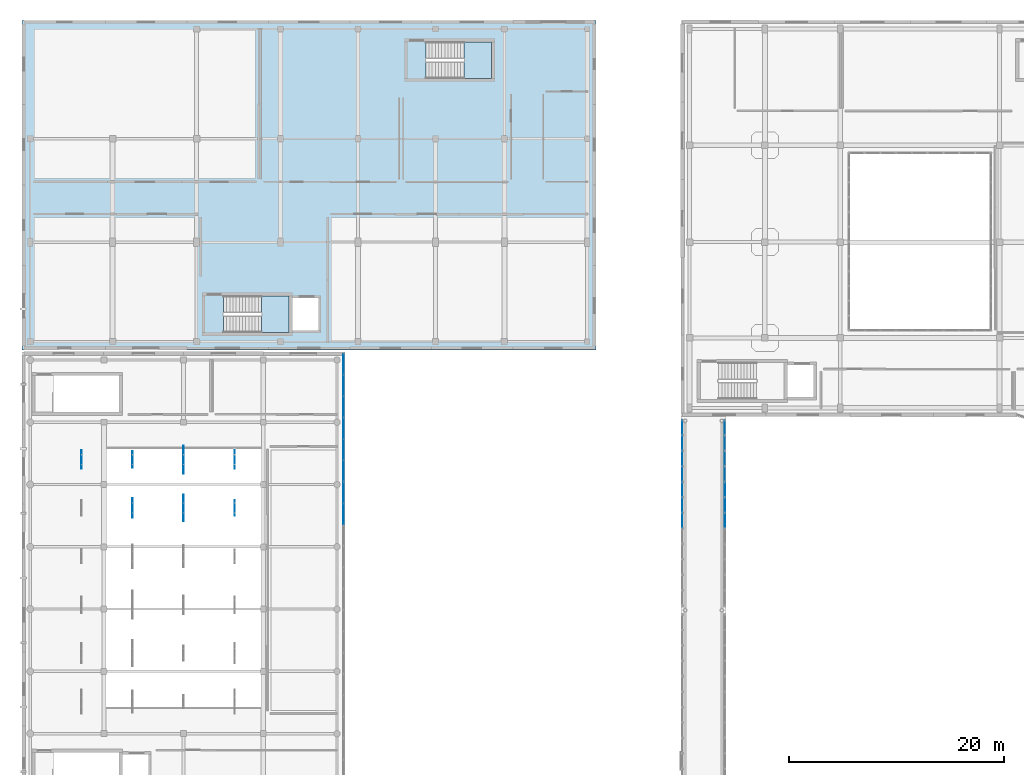
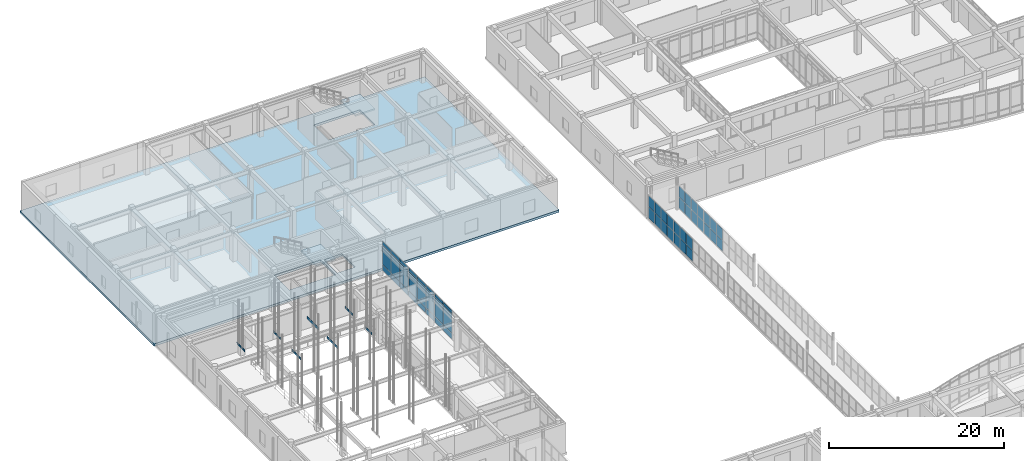
# One storey, part 109 of 142: 59 plates, 3 slabs, 9 elements without a shape of their own.
"""IFC4 building model written with IfcOpenShell, lengths in metres."""

from ifc_helpers import new_model, si_unit, direction, frame, origin, origin_2d, place, context, subcontext, project, spatial, polyline, rectangle, outline, extrude, material, layer, layer_set, type_object, element, aggregate, save


model = new_model("IFC4")

# Units and contexts
model_context = context("Model", 3, precision=1e-05, world=origin(), true_north=direction((0.0, 1.0)))
body_context = subcontext(model_context, "Body", "Model", "MODEL_VIEW")
ifc_project = project(units=[si_unit("LENGTHUNIT", "METRE"), si_unit("AREAUNIT", "SQUARE_METRE"), si_unit("VOLUMEUNIT", "CUBIC_METRE"), si_unit("PLANEANGLEUNIT", "RADIAN"), si_unit("MASSUNIT", "GRAM", prefix="KILO")], contexts=[model_context])

# Site, building, storey
site_placement = place(None, origin())
site = spatial("IfcSite", under=ifc_project, at=site_placement, CompositionType="ELEMENT")
building_placement = place(site_placement, origin())
building = spatial("IfcBuilding", under=site, at=building_placement, Name="Valcora Specialist Clinic", CompositionType="ELEMENT")
storey_placement = place(building_placement, frame((0.0, 0.0, 5.10009765625)))
storey = spatial("IfcBuildingStorey", under=building, at=storey_placement, Name="L01", CompositionType="ELEMENT", Elevation=5.10009765625)

# Curtain wall, plates
ifc_material_1 = material(Name="Anodized Bronze Aluminium 6063-T6", Category="aluminium")
ifc_layer_1 = layer(ifc_material_1, 0.175048828125)
ifc_layer_set_1 = layer_set([ifc_layer_1], Name="Anodized Bronze Aluminium 6063-T6")
curtain_wall_type_1 = type_object("IfcCurtainWallType", Name="TY-CW-HAL18", PredefinedType="NOTDEFINED", material=ifc_layer_set_1)
curtain_wall_1_placement = place(storey_placement, origin())
curtain_wall_1 = element("IfcCurtainWall", 1, at=curtain_wall_1_placement, inside=storey, type_object=curtain_wall_type_1, Name="Curtain wall CW-L01-008", PredefinedType="NOTDEFINED")
ifc_material_2 = material(Name="Low-E Laminated Insulating Glass", Category="glass")
ifc_layer_2 = layer(ifc_material_2, 0.028076171875)
ifc_layer_set_2 = layer_set([ifc_layer_2], Name="Low-E Laminated Insulating Glass")
plate_type_1 = type_object("IfcPlateType", Name="TY-CWP-GLZ28", PredefinedType="CURTAIN_PANEL", material=ifc_layer_set_2)
plate_1_placement = place(storey_placement, frame((29.85009765625, 78.8408203125, 0.88232421875), z_axis=(0.0, 0.0, 1.0), x_axis=(0.0, -1.0, 0.0)))
plate_1 = element("IfcPlate", 2, at=plate_1_placement, type_object=plate_type_1, Name="CW-HAL-18 panel 1.2", PredefinedType="CURTAIN_PANEL", context=body_context, shape_type="SweptSolid", body=[
    extrude(rectangle(XDim=1.88818359375, YDim=0.028076171875, at=origin_2d()), origin(), (0.0, 0.0, 1.0), 2.655029296875),
])
plate_2_placement = place(storey_placement, frame((29.85009765625, 78.8408203125, 3.6025390625), z_axis=(0.0, 0.0, 1.0), x_axis=(0.0, -1.0, 0.0)))
plate_2 = element("IfcPlate", 3, at=plate_2_placement, type_object=plate_type_1, Name="CW-HAL-18 panel 1.3", PredefinedType="CURTAIN_PANEL", context=body_context, shape_type="SweptSolid", body=[
    extrude(rectangle(XDim=1.88818359375, YDim=0.028076171875, at=origin_2d()), origin(), (0.0, 0.0, 1.0), 0.452392578125),
])
plate_3_placement = place(storey_placement, frame((29.85009765625, 76.871337890625, 0.88232421875), z_axis=(0.0, 0.0, 1.0), x_axis=(0.0, -1.0, 0.0)))
plate_3 = element("IfcPlate", 4, at=plate_3_placement, type_object=plate_type_1, Name="CW-HAL-18 panel 2.2", PredefinedType="CURTAIN_PANEL", context=body_context, shape_type="SweptSolid", body=[
    extrude(rectangle(XDim=1.920654296875, YDim=0.028076171875, at=origin_2d()), origin(), (0.0, 0.0, 1.0), 2.655029296875),
])
plate_4_placement = place(storey_placement, frame((29.85009765625, 76.871337890625, 3.6025390625), z_axis=(0.0, 0.0, 1.0), x_axis=(0.0, -1.0, 0.0)))
plate_4 = element("IfcPlate", 5, at=plate_4_placement, type_object=plate_type_1, Name="CW-HAL-18 panel 2.3", PredefinedType="CURTAIN_PANEL", context=body_context, shape_type="SweptSolid", body=[
    extrude(rectangle(XDim=1.920654296875, YDim=0.028076171875, at=origin_2d()), origin(), (0.0, 0.0, 1.0), 0.452392578125),
])
plate_5_placement = place(storey_placement, frame((29.85009765625, 74.902099609375, 0.88232421875), z_axis=(0.0, 0.0, 1.0), x_axis=(0.0, -1.0, 0.0)))
plate_5 = element("IfcPlate", 6, at=plate_5_placement, type_object=plate_type_1, Name="CW-HAL-18 panel 3.2", PredefinedType="CURTAIN_PANEL", context=body_context, shape_type="SweptSolid", body=[
    extrude(rectangle(XDim=1.88818359375, YDim=0.028076171875, at=origin_2d()), origin(), (0.0, 0.0, 1.0), 2.655029296875),
])
plate_6_placement = place(storey_placement, frame((29.85009765625, 74.902099609375, 3.6025390625), z_axis=(0.0, 0.0, 1.0), x_axis=(0.0, -1.0, 0.0)))
plate_6 = element("IfcPlate", 7, at=plate_6_placement, type_object=plate_type_1, Name="CW-HAL-18 panel 3.3", PredefinedType="CURTAIN_PANEL", context=body_context, shape_type="SweptSolid", body=[
    extrude(rectangle(XDim=1.88818359375, YDim=0.028076171875, at=origin_2d()), origin(), (0.0, 0.0, 1.0), 0.452392578125),
])

curtain_wall_2_placement = place(storey_placement, origin())
curtain_wall_2 = element("IfcCurtainWall", 8, at=curtain_wall_2_placement, inside=storey, type_object=curtain_wall_type_1, Name="Curtain wall CW-L01-010", PredefinedType="NOTDEFINED")
plate_7_placement = place(storey_placement, frame((29.85009765625, 66.926513671875, 0.88232421875), z_axis=(0.0, 0.0, 1.0), x_axis=(0.0, -1.0, 0.0)))
plate_7 = element("IfcPlate", 9, at=plate_7_placement, type_object=plate_type_1, Name="CW-HAL-18 panel 1.2", PredefinedType="CURTAIN_PANEL", context=body_context, shape_type="SweptSolid", body=[
    extrude(rectangle(XDim=1.88818359375, YDim=0.028076171875, at=origin_2d()), origin(), (0.0, 0.0, 1.0), 2.655029296875),
])
plate_8_placement = place(storey_placement, frame((29.85009765625, 66.926513671875, 3.6025390625), z_axis=(0.0, 0.0, 1.0), x_axis=(0.0, -1.0, 0.0)))
plate_8 = element("IfcPlate", 10, at=plate_8_placement, type_object=plate_type_1, Name="CW-HAL-18 panel 1.3", PredefinedType="CURTAIN_PANEL", context=body_context, shape_type="SweptSolid", body=[
    extrude(rectangle(XDim=1.88818359375, YDim=0.028076171875, at=origin_2d()), origin(), (0.0, 0.0, 1.0), 0.452392578125),
])
plate_9_placement = place(storey_placement, frame((29.85009765625, 64.95703125, 0.88232421875), z_axis=(0.0, 0.0, 1.0), x_axis=(0.0, -1.0, 0.0)))
plate_9 = element("IfcPlate", 11, at=plate_9_placement, type_object=plate_type_1, Name="CW-HAL-18 panel 2.2", PredefinedType="CURTAIN_PANEL", context=body_context, shape_type="SweptSolid", body=[
    extrude(rectangle(XDim=1.920654296875, YDim=0.028076171875, at=origin_2d()), origin(), (0.0, 0.0, 1.0), 2.655029296875),
])
plate_10_placement = place(storey_placement, frame((29.85009765625, 64.95703125, 3.6025390625), z_axis=(0.0, 0.0, 1.0), x_axis=(0.0, -1.0, 0.0)))
plate_10 = element("IfcPlate", 12, at=plate_10_placement, type_object=plate_type_1, Name="CW-HAL-18 panel 2.3", PredefinedType="CURTAIN_PANEL", context=body_context, shape_type="SweptSolid", body=[
    extrude(rectangle(XDim=1.920654296875, YDim=0.028076171875, at=origin_2d()), origin(), (0.0, 0.0, 1.0), 0.452392578125),
])

ifc_layer_3 = layer(ifc_material_1, 0.175048828125)
ifc_layer_set_3 = layer_set([ifc_layer_3], Name="Anodized Bronze Aluminium 6063-T6")
curtain_wall_type_2 = type_object("IfcCurtainWallType", Name="TY-CW-BRG14", PredefinedType="NOTDEFINED", material=ifc_layer_set_3)
curtain_wall_3_placement = place(storey_placement, origin())
curtain_wall_3 = element("IfcCurtainWall", 13, at=curtain_wall_3_placement, inside=storey, type_object=curtain_wall_type_2, Name="Curtain wall CW-L01-238", PredefinedType="NOTDEFINED")
plate_11_placement = place(storey_placement, frame((61.320068359375, 64.3291015625, 0.06494140625), z_axis=(0.0, 0.0, 1.0), x_axis=(0.0, 1.0, 0.0)))
plate_11 = element("IfcPlate", 14, at=plate_11_placement, type_object=plate_type_1, Name="CW-BRG-14 panel 2.1", PredefinedType="CURTAIN_PANEL", context=body_context, shape_type="SweptSolid", body=[
    extrude(rectangle(XDim=1.376708984375, YDim=0.028076171875, at=origin_2d()), origin(), (0.0, 0.0, 1.0), 1.5224609375),
])
plate_12_placement = place(storey_placement, frame((61.320068359375, 64.3291015625, 1.65234375), z_axis=(0.0, 0.0, 1.0), x_axis=(0.0, 1.0, 0.0)))
plate_12 = element("IfcPlate", 15, at=plate_12_placement, type_object=plate_type_1, Name="CW-BRG-14 panel 2.2", PredefinedType="CURTAIN_PANEL", context=body_context, shape_type="SweptSolid", body=[
    extrude(rectangle(XDim=1.376708984375, YDim=0.028076171875, at=origin_2d()), origin(), (0.0, 0.0, 1.0), 1.5224609375),
])
plate_13_placement = place(storey_placement, frame((61.320068359375, 65.770751953125, 0.06494140625), z_axis=(0.0, 0.0, 1.0), x_axis=(0.0, 1.0, 0.0)))
plate_13 = element("IfcPlate", 16, at=plate_13_placement, type_object=plate_type_1, Name="CW-BRG-14 panel 3.1", PredefinedType="CURTAIN_PANEL", context=body_context, shape_type="SweptSolid", body=[
    extrude(rectangle(XDim=1.376708984375, YDim=0.028076171875, at=origin_2d()), origin(), (0.0, 0.0, 1.0), 1.5224609375),
])
plate_14_placement = place(storey_placement, frame((61.320068359375, 65.770751953125, 1.65234375), z_axis=(0.0, 0.0, 1.0), x_axis=(0.0, 1.0, 0.0)))
plate_14 = element("IfcPlate", 17, at=plate_14_placement, type_object=plate_type_1, Name="CW-BRG-14 panel 3.2", PredefinedType="CURTAIN_PANEL", context=body_context, shape_type="SweptSolid", body=[
    extrude(rectangle(XDim=1.376708984375, YDim=0.028076171875, at=origin_2d()), origin(), (0.0, 0.0, 1.0), 1.5224609375),
])
plate_15_placement = place(storey_placement, frame((61.320068359375, 67.1962890625, 0.06494140625), z_axis=(0.0, 0.0, 1.0), x_axis=(0.0, 1.0, 0.0)))
plate_15 = element("IfcPlate", 18, at=plate_15_placement, type_object=plate_type_1, Name="CW-BRG-14 panel 4.1", PredefinedType="CURTAIN_PANEL", context=body_context, shape_type="SweptSolid", body=[
    extrude(rectangle(XDim=1.34423828125, YDim=0.028076171875, at=origin_2d()), origin(), (0.0, 0.0, 1.0), 1.5224609375),
])
plate_16_placement = place(storey_placement, frame((61.320068359375, 67.1962890625, 1.65234375), z_axis=(0.0, 0.0, 1.0), x_axis=(0.0, 1.0, 0.0)))
plate_16 = element("IfcPlate", 19, at=plate_16_placement, type_object=plate_type_1, Name="CW-BRG-14 panel 4.2", PredefinedType="CURTAIN_PANEL", context=body_context, shape_type="SweptSolid", body=[
    extrude(rectangle(XDim=1.34423828125, YDim=0.028076171875, at=origin_2d()), origin(), (0.0, 0.0, 1.0), 1.5224609375),
])
aggregate(curtain_wall_3, [plate_11, plate_12, plate_13, plate_14, plate_15, plate_16])

curtain_wall_4_placement = place(storey_placement, origin())
curtain_wall_4 = element("IfcCurtainWall", 20, at=curtain_wall_4_placement, inside=storey, type_object=curtain_wall_type_2, Name="Curtain wall CW-L01-248", PredefinedType="NOTDEFINED")
plate_17_placement = place(storey_placement, frame((65.280029296875, 68.67041015625, 0.06494140625), z_axis=(0.0, 0.0, 1.0), x_axis=(0.0, 1.0, 0.0)))
plate_17 = element("IfcPlate", 21, at=plate_17_placement, type_object=plate_type_1, Name="CW-BRG-14 panel 1.1", PredefinedType="CURTAIN_PANEL", context=body_context, shape_type="SweptSolid", body=[
    extrude(rectangle(XDim=1.34423828125, YDim=0.028076171875, at=origin_2d()), origin(), (0.0, 0.0, 1.0), 1.5224609375),
])
plate_18_placement = place(storey_placement, frame((65.280029296875, 68.67041015625, 1.65234375), z_axis=(0.0, 0.0, 1.0), x_axis=(0.0, 1.0, 0.0)))
plate_18 = element("IfcPlate", 22, at=plate_18_placement, type_object=plate_type_1, Name="CW-BRG-14 panel 1.2", PredefinedType="CURTAIN_PANEL", context=body_context, shape_type="SweptSolid", body=[
    extrude(rectangle(XDim=1.34423828125, YDim=0.028076171875, at=origin_2d()), origin(), (0.0, 0.0, 1.0), 1.5224609375),
])
plate_19_placement = place(storey_placement, frame((65.280029296875, 70.095703125, 0.06494140625), z_axis=(0.0, 0.0, 1.0), x_axis=(0.0, 1.0, 0.0)))
plate_19 = element("IfcPlate", 23, at=plate_19_placement, type_object=plate_type_1, Name="CW-BRG-14 panel 2.1", PredefinedType="CURTAIN_PANEL", context=body_context, shape_type="SweptSolid", body=[
    extrude(rectangle(XDim=1.376708984375, YDim=0.028076171875, at=origin_2d()), origin(), (0.0, 0.0, 1.0), 1.5224609375),
])
plate_20_placement = place(storey_placement, frame((65.280029296875, 70.095703125, 1.65234375), z_axis=(0.0, 0.0, 1.0), x_axis=(0.0, 1.0, 0.0)))
plate_20 = element("IfcPlate", 24, at=plate_20_placement, type_object=plate_type_1, Name="CW-BRG-14 panel 2.2", PredefinedType="CURTAIN_PANEL", context=body_context, shape_type="SweptSolid", body=[
    extrude(rectangle(XDim=1.376708984375, YDim=0.028076171875, at=origin_2d()), origin(), (0.0, 0.0, 1.0), 1.5224609375),
])
plate_21_placement = place(storey_placement, frame((65.280029296875, 71.53759765625, 0.06494140625), z_axis=(0.0, 0.0, 1.0), x_axis=(0.0, 1.0, 0.0)))
plate_21 = element("IfcPlate", 25, at=plate_21_placement, type_object=plate_type_1, Name="CW-BRG-14 panel 3.1", PredefinedType="CURTAIN_PANEL", context=body_context, shape_type="SweptSolid", body=[
    extrude(rectangle(XDim=1.376708984375, YDim=0.028076171875, at=origin_2d()), origin(), (0.0, 0.0, 1.0), 1.5224609375),
])
plate_22_placement = place(storey_placement, frame((65.280029296875, 71.53759765625, 1.65234375), z_axis=(0.0, 0.0, 1.0), x_axis=(0.0, 1.0, 0.0)))
plate_22 = element("IfcPlate", 26, at=plate_22_placement, type_object=plate_type_1, Name="CW-BRG-14 panel 3.2", PredefinedType="CURTAIN_PANEL", context=body_context, shape_type="SweptSolid", body=[
    extrude(rectangle(XDim=1.376708984375, YDim=0.028076171875, at=origin_2d()), origin(), (0.0, 0.0, 1.0), 1.5224609375),
])
plate_23_placement = place(storey_placement, frame((65.280029296875, 72.962890625, 0.06494140625), z_axis=(0.0, 0.0, 1.0), x_axis=(0.0, 1.0, 0.0)))
plate_23 = element("IfcPlate", 27, at=plate_23_placement, type_object=plate_type_1, Name="CW-BRG-14 panel 4.1", PredefinedType="CURTAIN_PANEL", context=body_context, shape_type="SweptSolid", body=[
    extrude(rectangle(XDim=1.34423828125, YDim=0.028076171875, at=origin_2d()), origin(), (0.0, 0.0, 1.0), 1.5224609375),
])
plate_24_placement = place(storey_placement, frame((65.280029296875, 72.962890625, 1.65234375), z_axis=(0.0, 0.0, 1.0), x_axis=(0.0, 1.0, 0.0)))
plate_24 = element("IfcPlate", 28, at=plate_24_placement, type_object=plate_type_1, Name="CW-BRG-14 panel 4.2", PredefinedType="CURTAIN_PANEL", context=body_context, shape_type="SweptSolid", body=[
    extrude(rectangle(XDim=1.34423828125, YDim=0.028076171875, at=origin_2d()), origin(), (0.0, 0.0, 1.0), 1.5224609375),
])
aggregate(curtain_wall_4, [plate_17, plate_18, plate_19, plate_20, plate_21, plate_22, plate_23, plate_24])

curtain_wall_5_placement = place(storey_placement, origin())
curtain_wall_5 = element("IfcCurtainWall", 29, at=curtain_wall_5_placement, inside=storey, type_object=curtain_wall_type_1, Name="Curtain wall CW-L01-009", PredefinedType="NOTDEFINED")
ifc_layer_4 = layer(ifc_material_2, 0.033935546875)
ifc_layer_set_4 = layer_set([ifc_layer_4], Name="Low-E Laminated Insulating Glass")
plate_type_2 = type_object("IfcPlateType", Name="TY-CWP-GLZ34", PredefinedType="CURTAIN_PANEL", material=ifc_layer_set_4)
plate_25_placement = place(storey_placement, frame((29.85009765625, 72.8837890625, 0.88232421875), z_axis=(0.0, 0.0, 1.0), x_axis=(0.0, -1.0, 0.0)))
plate_25 = element("IfcPlate", 30, at=plate_25_placement, type_object=plate_type_2, Name="CW-HAL-18 panel 1.2", PredefinedType="CURTAIN_PANEL", context=body_context, shape_type="SweptSolid", body=[
    extrude(rectangle(XDim=1.88818359375, YDim=0.033935546875, at=origin_2d()), origin(), (0.0, 0.0, 1.0), 2.655029296875),
])
plate_26_placement = place(storey_placement, frame((29.85009765625, 72.8837890625, 3.6025390625), z_axis=(0.0, 0.0, 1.0), x_axis=(0.0, -1.0, 0.0)))
plate_26 = element("IfcPlate", 31, at=plate_26_placement, type_object=plate_type_2, Name="CW-HAL-18 panel 1.3", PredefinedType="CURTAIN_PANEL", context=body_context, shape_type="SweptSolid", body=[
    extrude(rectangle(XDim=1.88818359375, YDim=0.033935546875, at=origin_2d()), origin(), (0.0, 0.0, 1.0), 0.452392578125),
])
plate_27_placement = place(storey_placement, frame((29.85009765625, 70.914306640625, 0.88232421875), z_axis=(0.0, 0.0, 1.0), x_axis=(0.0, -1.0, 0.0)))
plate_27 = element("IfcPlate", 32, at=plate_27_placement, type_object=plate_type_2, Name="CW-HAL-18 panel 2.2", PredefinedType="CURTAIN_PANEL", context=body_context, shape_type="SweptSolid", body=[
    extrude(rectangle(XDim=1.920654296875, YDim=0.033935546875, at=origin_2d()), origin(), (0.0, 0.0, 1.0), 2.655029296875),
])
plate_28_placement = place(storey_placement, frame((29.85009765625, 70.914306640625, 3.6025390625), z_axis=(0.0, 0.0, 1.0), x_axis=(0.0, -1.0, 0.0)))
plate_28 = element("IfcPlate", 33, at=plate_28_placement, type_object=plate_type_2, Name="CW-HAL-18 panel 2.3", PredefinedType="CURTAIN_PANEL", context=body_context, shape_type="SweptSolid", body=[
    extrude(rectangle(XDim=1.920654296875, YDim=0.033935546875, at=origin_2d()), origin(), (0.0, 0.0, 1.0), 0.452392578125),
])
plate_29_placement = place(storey_placement, frame((29.85009765625, 68.94482421875, 0.88232421875), z_axis=(0.0, 0.0, 1.0), x_axis=(0.0, -1.0, 0.0)))
plate_29 = element("IfcPlate", 34, at=plate_29_placement, type_object=plate_type_2, Name="CW-HAL-18 panel 3.2", PredefinedType="CURTAIN_PANEL", context=body_context, shape_type="SweptSolid", body=[
    extrude(rectangle(XDim=1.88818359375, YDim=0.033935546875, at=origin_2d()), origin(), (0.0, 0.0, 1.0), 2.655029296875),
])
plate_30_placement = place(storey_placement, frame((29.85009765625, 68.94482421875, 3.6025390625), z_axis=(0.0, 0.0, 1.0), x_axis=(0.0, -1.0, 0.0)))
plate_30 = element("IfcPlate", 35, at=plate_30_placement, type_object=plate_type_2, Name="CW-HAL-18 panel 3.3", PredefinedType="CURTAIN_PANEL", context=body_context, shape_type="SweptSolid", body=[
    extrude(rectangle(XDim=1.88818359375, YDim=0.033935546875, at=origin_2d()), origin(), (0.0, 0.0, 1.0), 0.452392578125),
])

curtain_wall_6_placement = place(storey_placement, origin())
curtain_wall_6 = element("IfcCurtainWall", 36, at=curtain_wall_6_placement, inside=storey, type_object=curtain_wall_type_2, Name="Curtain wall CW-L01-239", PredefinedType="NOTDEFINED")
plate_31_placement = place(storey_placement, frame((61.320068359375, 68.67041015625, 0.06494140625), z_axis=(0.0, 0.0, 1.0), x_axis=(0.0, 1.0, 0.0)))
plate_31 = element("IfcPlate", 37, at=plate_31_placement, type_object=plate_type_2, Name="CW-BRG-14 panel 1.1", PredefinedType="CURTAIN_PANEL", context=body_context, shape_type="SweptSolid", body=[
    extrude(rectangle(XDim=1.34423828125, YDim=0.033935546875, at=origin_2d()), origin(), (0.0, 0.0, 1.0), 1.5224609375),
])
plate_32_placement = place(storey_placement, frame((61.320068359375, 68.67041015625, 1.65234375), z_axis=(0.0, 0.0, 1.0), x_axis=(0.0, 1.0, 0.0)))
plate_32 = element("IfcPlate", 38, at=plate_32_placement, type_object=plate_type_2, Name="CW-BRG-14 panel 1.2", PredefinedType="CURTAIN_PANEL", context=body_context, shape_type="SweptSolid", body=[
    extrude(rectangle(XDim=1.34423828125, YDim=0.033935546875, at=origin_2d()), origin(), (0.0, 0.0, 1.0), 1.5224609375),
])
plate_33_placement = place(storey_placement, frame((61.320068359375, 70.095703125, 0.06494140625), z_axis=(0.0, 0.0, 1.0), x_axis=(0.0, 1.0, 0.0)))
plate_33 = element("IfcPlate", 39, at=plate_33_placement, type_object=plate_type_2, Name="CW-BRG-14 panel 2.1", PredefinedType="CURTAIN_PANEL", context=body_context, shape_type="SweptSolid", body=[
    extrude(rectangle(XDim=1.376708984375, YDim=0.033935546875, at=origin_2d()), origin(), (0.0, 0.0, 1.0), 1.5224609375),
])
plate_34_placement = place(storey_placement, frame((61.320068359375, 70.095703125, 1.65234375), z_axis=(0.0, 0.0, 1.0), x_axis=(0.0, 1.0, 0.0)))
plate_34 = element("IfcPlate", 40, at=plate_34_placement, type_object=plate_type_2, Name="CW-BRG-14 panel 2.2", PredefinedType="CURTAIN_PANEL", context=body_context, shape_type="SweptSolid", body=[
    extrude(rectangle(XDim=1.376708984375, YDim=0.033935546875, at=origin_2d()), origin(), (0.0, 0.0, 1.0), 1.5224609375),
])
plate_35_placement = place(storey_placement, frame((61.320068359375, 71.53759765625, 0.06494140625), z_axis=(0.0, 0.0, 1.0), x_axis=(0.0, 1.0, 0.0)))
plate_35 = element("IfcPlate", 41, at=plate_35_placement, type_object=plate_type_2, Name="CW-BRG-14 panel 3.1", PredefinedType="CURTAIN_PANEL", context=body_context, shape_type="SweptSolid", body=[
    extrude(rectangle(XDim=1.376708984375, YDim=0.033935546875, at=origin_2d()), origin(), (0.0, 0.0, 1.0), 1.5224609375),
])
plate_36_placement = place(storey_placement, frame((61.320068359375, 71.53759765625, 1.65234375), z_axis=(0.0, 0.0, 1.0), x_axis=(0.0, 1.0, 0.0)))
plate_36 = element("IfcPlate", 42, at=plate_36_placement, type_object=plate_type_2, Name="CW-BRG-14 panel 3.2", PredefinedType="CURTAIN_PANEL", context=body_context, shape_type="SweptSolid", body=[
    extrude(rectangle(XDim=1.376708984375, YDim=0.033935546875, at=origin_2d()), origin(), (0.0, 0.0, 1.0), 1.5224609375),
])
plate_37_placement = place(storey_placement, frame((61.320068359375, 72.962890625, 0.06494140625), z_axis=(0.0, 0.0, 1.0), x_axis=(0.0, 1.0, 0.0)))
plate_37 = element("IfcPlate", 43, at=plate_37_placement, type_object=plate_type_2, Name="CW-BRG-14 panel 4.1", PredefinedType="CURTAIN_PANEL", context=body_context, shape_type="SweptSolid", body=[
    extrude(rectangle(XDim=1.34423828125, YDim=0.033935546875, at=origin_2d()), origin(), (0.0, 0.0, 1.0), 1.5224609375),
])
plate_38_placement = place(storey_placement, frame((61.320068359375, 72.962890625, 1.65234375), z_axis=(0.0, 0.0, 1.0), x_axis=(0.0, 1.0, 0.0)))
plate_38 = element("IfcPlate", 44, at=plate_38_placement, type_object=plate_type_2, Name="CW-BRG-14 panel 4.2", PredefinedType="CURTAIN_PANEL", context=body_context, shape_type="SweptSolid", body=[
    extrude(rectangle(XDim=1.34423828125, YDim=0.033935546875, at=origin_2d()), origin(), (0.0, 0.0, 1.0), 1.5224609375),
])
aggregate(curtain_wall_6, [plate_31, plate_32, plate_33, plate_34, plate_35, plate_36, plate_37, plate_38])

curtain_wall_7_placement = place(storey_placement, origin())
curtain_wall_7 = element("IfcCurtainWall", 45, at=curtain_wall_7_placement, inside=storey, type_object=curtain_wall_type_2, Name="Curtain wall CW-L01-247", PredefinedType="NOTDEFINED")
plate_39_placement = place(storey_placement, frame((65.280029296875, 64.3291015625, 0.06494140625), z_axis=(0.0, 0.0, 1.0), x_axis=(0.0, 1.0, 0.0)))
plate_39 = element("IfcPlate", 46, at=plate_39_placement, type_object=plate_type_2, Name="CW-BRG-14 panel 2.1", PredefinedType="CURTAIN_PANEL", context=body_context, shape_type="SweptSolid", body=[
    extrude(rectangle(XDim=1.376708984375, YDim=0.033935546875, at=origin_2d()), origin(), (0.0, 0.0, 1.0), 1.5224609375),
])
plate_40_placement = place(storey_placement, frame((65.280029296875, 64.3291015625, 1.65234375), z_axis=(0.0, 0.0, 1.0), x_axis=(0.0, 1.0, 0.0)))
plate_40 = element("IfcPlate", 47, at=plate_40_placement, type_object=plate_type_2, Name="CW-BRG-14 panel 2.2", PredefinedType="CURTAIN_PANEL", context=body_context, shape_type="SweptSolid", body=[
    extrude(rectangle(XDim=1.376708984375, YDim=0.033935546875, at=origin_2d()), origin(), (0.0, 0.0, 1.0), 1.5224609375),
])
plate_41_placement = place(storey_placement, frame((65.280029296875, 65.770751953125, 0.06494140625), z_axis=(0.0, 0.0, 1.0), x_axis=(0.0, 1.0, 0.0)))
plate_41 = element("IfcPlate", 48, at=plate_41_placement, type_object=plate_type_2, Name="CW-BRG-14 panel 3.1", PredefinedType="CURTAIN_PANEL", context=body_context, shape_type="SweptSolid", body=[
    extrude(rectangle(XDim=1.376708984375, YDim=0.033935546875, at=origin_2d()), origin(), (0.0, 0.0, 1.0), 1.5224609375),
])
plate_42_placement = place(storey_placement, frame((65.280029296875, 65.770751953125, 1.65234375), z_axis=(0.0, 0.0, 1.0), x_axis=(0.0, 1.0, 0.0)))
plate_42 = element("IfcPlate", 49, at=plate_42_placement, type_object=plate_type_2, Name="CW-BRG-14 panel 3.2", PredefinedType="CURTAIN_PANEL", context=body_context, shape_type="SweptSolid", body=[
    extrude(rectangle(XDim=1.376708984375, YDim=0.033935546875, at=origin_2d()), origin(), (0.0, 0.0, 1.0), 1.5224609375),
])
plate_43_placement = place(storey_placement, frame((65.280029296875, 67.1962890625, 0.06494140625), z_axis=(0.0, 0.0, 1.0), x_axis=(0.0, 1.0, 0.0)))
plate_43 = element("IfcPlate", 50, at=plate_43_placement, type_object=plate_type_2, Name="CW-BRG-14 panel 4.1", PredefinedType="CURTAIN_PANEL", context=body_context, shape_type="SweptSolid", body=[
    extrude(rectangle(XDim=1.34423828125, YDim=0.033935546875, at=origin_2d()), origin(), (0.0, 0.0, 1.0), 1.5224609375),
])
plate_44_placement = place(storey_placement, frame((65.280029296875, 67.1962890625, 1.65234375), z_axis=(0.0, 0.0, 1.0), x_axis=(0.0, 1.0, 0.0)))
plate_44 = element("IfcPlate", 51, at=plate_44_placement, type_object=plate_type_2, Name="CW-BRG-14 panel 4.2", PredefinedType="CURTAIN_PANEL", context=body_context, shape_type="SweptSolid", body=[
    extrude(rectangle(XDim=1.34423828125, YDim=0.033935546875, at=origin_2d()), origin(), (0.0, 0.0, 1.0), 1.5224609375),
])
aggregate(curtain_wall_7, [plate_39, plate_40, plate_41, plate_42, plate_43, plate_44])

# Plate
ifc_material_3 = material(Name="Insulated Spandrel Panel")
ifc_layer_5 = layer(ifc_material_3, 0.044921875)
ifc_layer_set_5 = layer_set([ifc_layer_5], Name="Insulated Spandrel Panel")
plate_type_3 = type_object("IfcPlateType", Name="TY-CWP-SPN45", PredefinedType="SHEET", material=ifc_layer_set_5)
plate_45_placement = place(storey_placement, frame((29.85009765625, 78.8408203125, 0.06494140625), z_axis=(0.0, 0.0, 1.0), x_axis=(0.0, -1.0, 0.0)))
plate_45 = element("IfcPlate", 52, at=plate_45_placement, type_object=plate_type_3, Name="CW-HAL-18 panel 1.1", PredefinedType="SHEET", context=body_context, shape_type="SweptSolid", body=[
    extrude(rectangle(XDim=1.88818359375, YDim=0.044921875, at=origin_2d()), origin(), (0.0, 0.0, 1.0), 0.75244140625),
])

plate_46_placement = place(storey_placement, frame((29.85009765625, 76.871337890625, 0.06494140625), z_axis=(0.0, 0.0, 1.0), x_axis=(0.0, -1.0, 0.0)))
plate_46 = element("IfcPlate", 53, at=plate_46_placement, type_object=plate_type_3, Name="CW-HAL-18 panel 2.1", PredefinedType="SHEET", context=body_context, shape_type="SweptSolid", body=[
    extrude(rectangle(XDim=1.920654296875, YDim=0.044921875, at=origin_2d()), origin(), (0.0, 0.0, 1.0), 0.75244140625),
])

plate_47_placement = place(storey_placement, frame((29.85009765625, 74.902099609375, 0.06494140625), z_axis=(0.0, 0.0, 1.0), x_axis=(0.0, -1.0, 0.0)))
plate_47 = element("IfcPlate", 54, at=plate_47_placement, type_object=plate_type_3, Name="CW-HAL-18 panel 3.1", PredefinedType="SHEET", context=body_context, shape_type="SweptSolid", body=[
    extrude(rectangle(XDim=1.88818359375, YDim=0.044921875, at=origin_2d()), origin(), (0.0, 0.0, 1.0), 0.75244140625),
])

aggregate(curtain_wall_1, [plate_45, plate_1, plate_2, plate_46, plate_3, plate_4, plate_47, plate_5, plate_6])

plate_48_placement = place(storey_placement, frame((29.85009765625, 72.8837890625, 0.06494140625), z_axis=(0.0, 0.0, 1.0), x_axis=(0.0, -1.0, 0.0)))
plate_48 = element("IfcPlate", 55, at=plate_48_placement, type_object=plate_type_3, Name="CW-HAL-18 panel 1.1", PredefinedType="SHEET", context=body_context, shape_type="SweptSolid", body=[
    extrude(rectangle(XDim=1.88818359375, YDim=0.044921875, at=origin_2d()), origin(), (0.0, 0.0, 1.0), 0.75244140625),
])

plate_49_placement = place(storey_placement, frame((29.85009765625, 70.914306640625, 0.06494140625), z_axis=(0.0, 0.0, 1.0), x_axis=(0.0, -1.0, 0.0)))
plate_49 = element("IfcPlate", 56, at=plate_49_placement, type_object=plate_type_3, Name="CW-HAL-18 panel 2.1", PredefinedType="SHEET", context=body_context, shape_type="SweptSolid", body=[
    extrude(rectangle(XDim=1.920654296875, YDim=0.044921875, at=origin_2d()), origin(), (0.0, 0.0, 1.0), 0.75244140625),
])

plate_50_placement = place(storey_placement, frame((29.85009765625, 68.94482421875, 0.06494140625), z_axis=(0.0, 0.0, 1.0), x_axis=(0.0, -1.0, 0.0)))
plate_50 = element("IfcPlate", 57, at=plate_50_placement, type_object=plate_type_3, Name="CW-HAL-18 panel 3.1", PredefinedType="SHEET", context=body_context, shape_type="SweptSolid", body=[
    extrude(rectangle(XDim=1.88818359375, YDim=0.044921875, at=origin_2d()), origin(), (0.0, 0.0, 1.0), 0.75244140625),
])

aggregate(curtain_wall_5, [plate_48, plate_25, plate_26, plate_49, plate_27, plate_28, plate_50, plate_29, plate_30])

plate_51_placement = place(storey_placement, frame((29.85009765625, 66.926513671875, 0.06494140625), z_axis=(0.0, 0.0, 1.0), x_axis=(0.0, -1.0, 0.0)))
plate_51 = element("IfcPlate", 58, at=plate_51_placement, type_object=plate_type_3, Name="CW-HAL-18 panel 1.1", PredefinedType="SHEET", context=body_context, shape_type="SweptSolid", body=[
    extrude(rectangle(XDim=1.88818359375, YDim=0.044921875, at=origin_2d()), origin(), (0.0, 0.0, 1.0), 0.75244140625),
])

plate_52_placement = place(storey_placement, frame((29.85009765625, 64.95703125, 0.06494140625), z_axis=(0.0, 0.0, 1.0), x_axis=(0.0, -1.0, 0.0)))
plate_52 = element("IfcPlate", 59, at=plate_52_placement, type_object=plate_type_3, Name="CW-HAL-18 panel 2.1", PredefinedType="SHEET", context=body_context, shape_type="SweptSolid", body=[
    extrude(rectangle(XDim=1.920654296875, YDim=0.044921875, at=origin_2d()), origin(), (0.0, 0.0, 1.0), 0.75244140625),
])

aggregate(curtain_wall_2, [plate_51, plate_7, plate_8, plate_52, plate_9, plate_10])

# Plates
ifc_layer_6 = layer(ifc_material_1, 0.0419921875)
ifc_layer_set_6 = layer_set([ifc_layer_6], Name="Anodized Bronze Aluminium 6063-T6")
plate_type_4 = type_object("IfcPlateType", Name="TY-PL-BAF1", PredefinedType="SHEET", material=ifc_layer_set_6)
plate_53_placement = place(storey_placement, frame((15.0, 70.0, 3.6796875), z_axis=(0.0, 0.0, 1.0), x_axis=(0.0, 1.0, 0.0)))
element("IfcPlate", 60, at=plate_53_placement, inside=storey, type_object=plate_type_4, Name="Acoustic ceiling baffle 18", PredefinedType="SHEET", context=body_context, shape_type="SweptSolid", body=[
    extrude(rectangle(XDim=2.60009765625, YDim=0.0419921875, at=origin_2d()), origin(), (0.0, 0.0, 1.0), 0.340087890625),
])
ifc_layer_7 = layer(ifc_material_1, 0.0380859375)
ifc_layer_set_7 = layer_set([ifc_layer_7], Name="Anodized Bronze Aluminium 6063-T6")
plate_type_5 = type_object("IfcPlateType", Name="TY-PL-BAF3", PredefinedType="SHEET", material=ifc_layer_set_7)
plate_54_placement = place(storey_placement, frame((10.25, 65.5, 3.71484375), z_axis=(0.0, 0.0, 1.0), x_axis=(0.0, 1.0, 0.0)))
element("IfcPlate", 61, at=plate_54_placement, inside=storey, type_object=plate_type_5, Name="Acoustic ceiling baffle 11", PredefinedType="SHEET", context=body_context, shape_type="SweptSolid", body=[
    extrude(rectangle(XDim=1.85009765625, YDim=0.0380859375, at=origin_2d()), origin(), (0.0, 0.0, 1.0), 0.27001953125),
])
ifc_layer_8 = layer(ifc_material_1, 0.035888671875)
ifc_layer_set_8 = layer_set([ifc_layer_8], Name="Anodized Bronze Aluminium 6063-T6")
plate_type_6 = type_object("IfcPlateType", Name="TY-PL-BAF4", PredefinedType="SHEET", material=ifc_layer_set_8)
plate_55_placement = place(storey_placement, frame((10.25, 70.0, 3.72998046875), z_axis=(0.0, 0.0, 1.0), x_axis=(0.0, 1.0, 0.0)))
element("IfcPlate", 62, at=plate_55_placement, inside=storey, type_object=plate_type_6, Name="Acoustic ceiling baffle 12", PredefinedType="SHEET", context=body_context, shape_type="SweptSolid", body=[
    extrude(rectangle(XDim=1.550048828125, YDim=0.035888671875, at=origin_2d()), origin(), (0.0, 0.0, 1.0), 0.239990234375),
])
ifc_layer_9 = layer(ifc_material_1, 0.034912109375)
ifc_layer_set_9 = layer_set([ifc_layer_9], Name="Anodized Bronze Aluminium 6063-T6")
plate_type_7 = type_object("IfcPlateType", Name="TY-PL-BAF6", PredefinedType="SHEET", material=ifc_layer_set_9)
plate_56_placement = place(storey_placement, frame((19.75, 65.5, 3.73974609375), z_axis=(0.0, 0.0, 1.0), x_axis=(0.0, 1.0, 0.0)))
element("IfcPlate", 63, at=plate_56_placement, inside=storey, type_object=plate_type_7, Name="Acoustic ceiling baffle 23", PredefinedType="SHEET", context=body_context, shape_type="SweptSolid", body=[
    extrude(rectangle(XDim=1.39990234375, YDim=0.034912109375, at=origin_2d()), origin(), (0.0, 0.0, 1.0), 0.219970703125),
])
ifc_layer_10 = layer(ifc_material_1, 0.037109375)
ifc_layer_set_10 = layer_set([ifc_layer_10], Name="Anodized Bronze Aluminium 6063-T6")
plate_type_8 = type_object("IfcPlateType", Name="TY-PL-BAF7", PredefinedType="SHEET", material=ifc_layer_set_10)
for number, where, z_axis, x_axis, name in (
    (64, (5.5, 70.0, 3.724853515625), (0.0, 0.0, 1.0), (0.0, 1.0, 0.0), "Acoustic ceiling baffle 6"),
    (65, (19.75, 70.0, 3.724853515625), (0.0, 0.0, 1.0), (0.0, 1.0, 0.0), "Acoustic ceiling baffle 24"),
):
    element("IfcPlate", number, at=place(storey_placement, frame(where, z_axis=z_axis, x_axis=x_axis)), inside=storey, type_object=plate_type_8, Name=name, PredefinedType="SHEET", context=body_context, shape_type="SweptSolid", body=[
        extrude(rectangle(XDim=1.699951171875, YDim=0.037109375, at=origin_2d()), origin(), (0.0, 0.0, 1.0), 0.25),
    ])
ifc_layer_11 = layer(ifc_material_1, 0.041015625)
ifc_layer_set_11 = layer_set([ifc_layer_11], Name="Anodized Bronze Aluminium 6063-T6")
plate_type_9 = type_object("IfcPlateType", Name="TY-PL-BAF9", PredefinedType="SHEET", material=ifc_layer_set_11)
plate_57_placement = place(storey_placement, frame((15.0, 65.5, 3.684814453125), z_axis=(0.0, 0.0, 1.0), x_axis=(0.0, 1.0, 0.0)))
element("IfcPlate", 66, at=plate_57_placement, inside=storey, type_object=plate_type_9, Name="Acoustic ceiling baffle 17", PredefinedType="SHEET", context=body_context, shape_type="SweptSolid", body=[
    extrude(rectangle(XDim=2.449951171875, YDim=0.041015625, at=origin_2d()), origin(), (0.0, 0.0, 1.0), 0.330078125),
])

# Slab
ifc_material_4 = material(Name="Concrete C40/50", Category="concrete")
ifc_layer_12 = layer(ifc_material_4, 0.31494140625)
ifc_layer_set_12 = layer_set([ifc_layer_12], Name="Concrete C40/50")
slab_type_1 = type_object("IfcSlabType", Name="TY-SL-FLR315", PredefinedType="FLOOR", material=ifc_layer_set_12)
slab_1_placement = place(storey_placement, frame((0.0, 0.0, -0.315185546875)))
element("IfcSlab", 67, at=slab_1_placement, inside=storey, type_object=slab_type_1, Name="V2 L01 structural slab SL-L01-005", PredefinedType="FLOOR", context=body_context, shape_type="SweptSolid", body=[
    extrude(outline(polyline([(0.0, 80.199951171875), (53.300048828125, 80.199951171875), (53.300048828125, 110.800048828125), (0.0, 110.800048828125), (0.0, 80.199951171875)]), holes=[polyline([(18.70068359375, 81.800048828125), (24.800048828125, 81.800048828125), (24.800048828125, 85.199951171875), (18.70068359375, 85.199951171875), (18.70068359375, 81.800048828125)]), polyline([(25.1201171875, 82.0), (27.52001953125, 82.0), (27.52001953125, 85.0), (25.1201171875, 85.0), (25.1201171875, 82.0)]), polyline([(37.500732421875, 105.39990234375), (43.60009765625, 105.39990234375), (43.60009765625, 108.800048828125), (37.500732421875, 108.800048828125), (37.500732421875, 105.39990234375)])]), origin(), (0.0, 0.0, 1.0), 0.315185546875),
])

# Stair, slab
stair_type = type_object("IfcStairType", Name="TY-ST-DG442", PredefinedType="HALF_TURN_STAIR", material=ifc_material_4)
stair_1_placement = place(storey_placement, origin())
stair_1 = element("IfcStair", 68, at=stair_1_placement, inside=storey, type_object=stair_type, Name="L01 Core C-V2A stair ST-V2A", PredefinedType="HALF_TURN_STAIR")
ifc_layer_13 = layer(ifc_material_4, 0.199951171875)
ifc_layer_set_13 = layer_set([ifc_layer_13], Name="Concrete C40/50")
slab_type_2 = type_object("IfcSlabType", Name="TY-SL-LND200", PredefinedType="LANDING", material=ifc_layer_set_13)
slab_2_placement = place(storey_placement, frame((0.0, 0.0, 2.010009765625)))
slab_2 = element("IfcSlab", 69, at=slab_2_placement, type_object=slab_type_2, Name="ST-V2A landing 1", PredefinedType="LANDING", context=body_context, shape_type="SweptSolid", body=[
    extrude(outline(polyline([(22.239990234375, 81.800048828125), (24.800048828125, 81.800048828125), (24.800048828125, 85.199951171875), (22.239990234375, 85.199951171875), (22.239990234375, 81.800048828125)])), origin(), (0.0, 0.0, 1.0), 0.199951171875),
])
aggregate(stair_1, [slab_2])

stair_2_placement = place(storey_placement, origin())
stair_2 = element("IfcStair", 70, at=stair_2_placement, inside=storey, type_object=stair_type, Name="L01 Core C-V2B stair ST-V2B", PredefinedType="HALF_TURN_STAIR")
slab_3_placement = place(storey_placement, frame((0.0, 0.0, 2.010009765625)))
slab_3 = element("IfcSlab", 71, at=slab_3_placement, type_object=slab_type_2, Name="ST-V2B landing 1", PredefinedType="LANDING", context=body_context, shape_type="SweptSolid", body=[
    extrude(outline(polyline([(41.0400390625, 105.39990234375), (43.60009765625, 105.39990234375), (43.60009765625, 108.800048828125), (41.0400390625, 108.800048828125), (41.0400390625, 105.39990234375)])), origin(), (0.0, 0.0, 1.0), 0.199951171875),
])
aggregate(stair_2, [slab_3])

save(model, "model.ifc")
